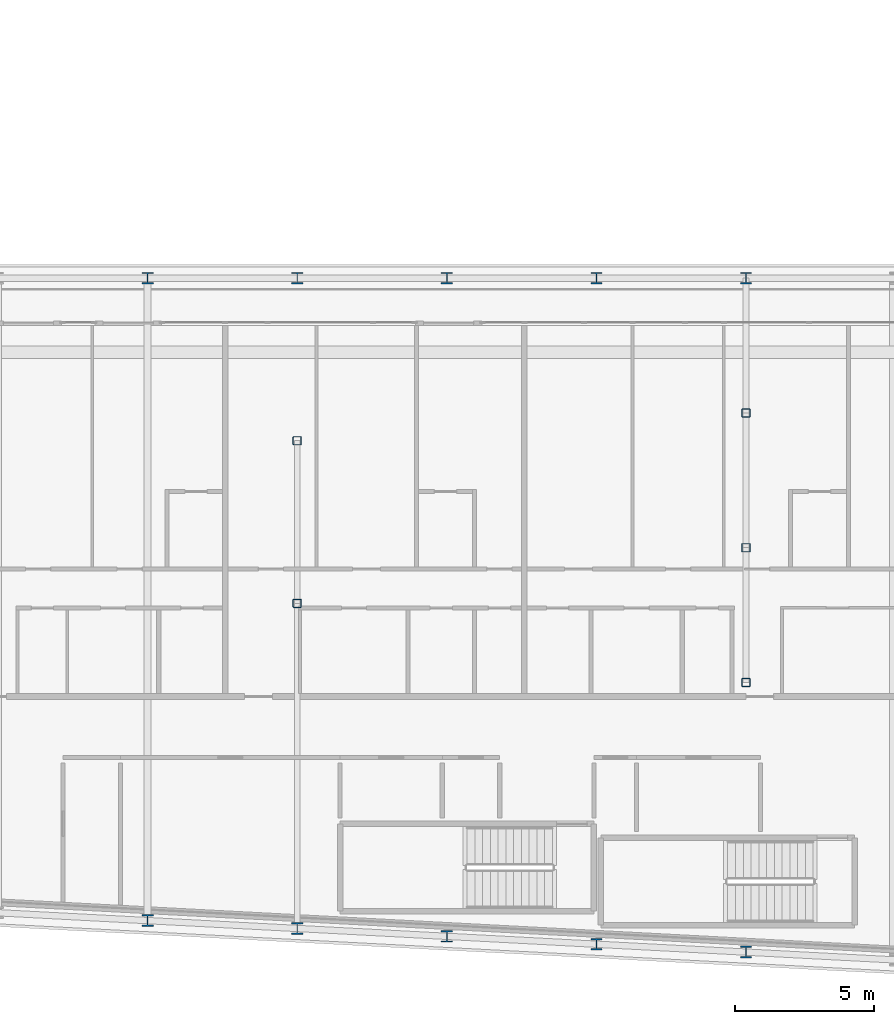
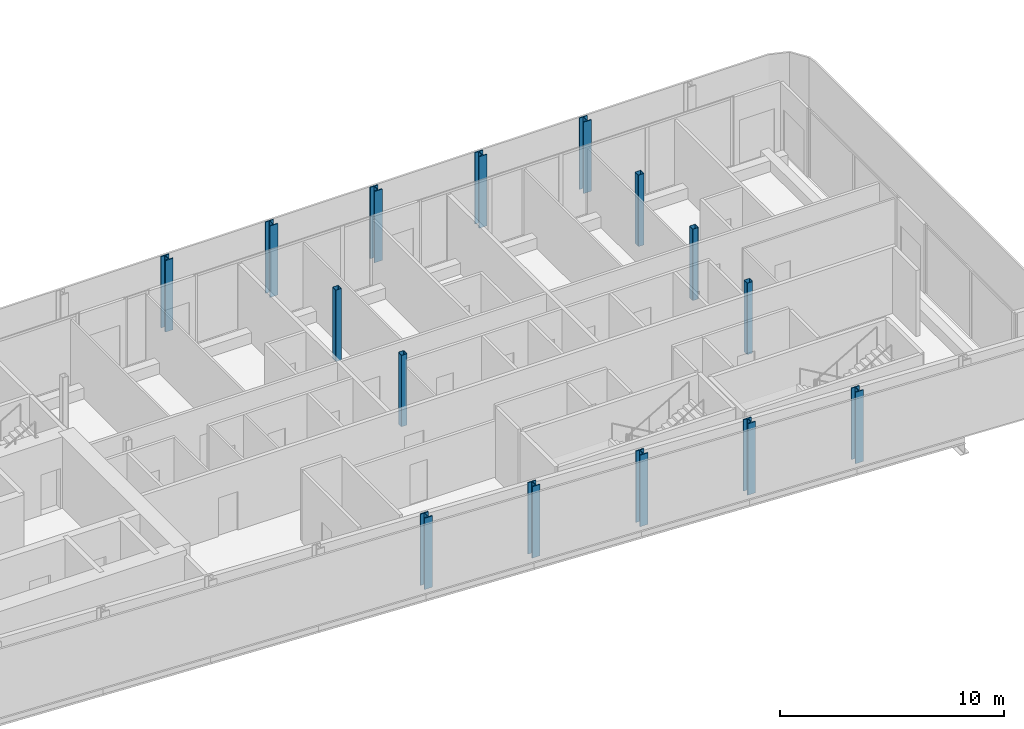
# One storey, part 2 of 30: 15 columns.
"""IFC4 building model written with IfcOpenShell, lengths in metres."""

from ifc_helpers import new_model, si_unit, direction, frame, origin, origin_2d, place, context, subcontext, project, spatial, hollow_rectangle, i_section, extrude, material, material_profile, profile_set, type_object, element, save


model = new_model("IFC4")

# Units and contexts
model_context = context("Model", 3, precision=1e-05, world=origin(), true_north=direction((0.0, 1.0)))
body_context = subcontext(model_context, "Body", "Model", "MODEL_VIEW")
ifc_project = project(units=[si_unit("LENGTHUNIT", "METRE"), si_unit("AREAUNIT", "SQUARE_METRE"), si_unit("VOLUMEUNIT", "CUBIC_METRE"), si_unit("PLANEANGLEUNIT", "RADIAN"), si_unit("MASSUNIT", "GRAM", prefix="KILO")], contexts=[model_context])

# Site, building, storey
site_placement = place(None, origin())
site = spatial("IfcSite", under=ifc_project, at=site_placement, CompositionType="ELEMENT")
building_placement = place(site_placement, origin())
building = spatial("IfcBuilding", under=site, at=building_placement, Name="Kheshtan School and Residences Tower", CompositionType="ELEMENT")
storey_placement = place(building_placement, frame((0.0, 0.0, 164.300048828125)))
storey = spatial("IfcBuildingStorey", under=building, at=storey_placement, Name="L38", CompositionType="ELEMENT", Elevation=164.300048828125)

# Columns
ifc_material_1 = material(Name="Steel ASTM A992 Grade 50", Category="steel")
ifc_material_profile_1 = material_profile(ifc_material_1, i_section(OverallWidth=0.408935546875, OverallDepth=0.425048828125, WebThickness=0.03271484375, FlangeThickness=0.052490234375, FilletRadius=0.0126953125, at=origin_2d()), Name="W360x421")
ifc_profile_set_1 = profile_set([ifc_material_profile_1], Name="Steel ASTM A992 Grade 50")
column_type_1 = type_object("IfcColumnType", Name="Column C3 W360x421 ASTM A992 Grade 50", PredefinedType="COLUMN", material=ifc_profile_set_1)
for number, where, z_axis, x_axis, name in (
    (1, (85.39990234375, 21.27392578125, 0.0), (0.0, 0.0, 1.0), (1.0, 0.0, 0.0), "Column C008"),
    (2, (80.0, 21.55810546875, 0.0), (0.0, 0.0, 1.0), (1.0, 0.0, 0.0), "Column C012"),
    (3, (74.60009765625, 21.843017578125, 0.0), (0.0, 0.0, 1.0), (1.0, 0.0, 0.0), "Column C013"),
    (4, (69.199951171875, 22.126953125, 0.0), (0.0, 0.0, 1.0), (1.0, 0.0, 0.0), "Column C014"),
    (5, (63.800048828125, 22.410888671875, 0.0), (0.0, 0.0, 1.0), (1.0, 0.0, 0.0), "Column C016"),
    (6, (63.800048828125, 45.60009765625, 0.0), (0.0, 0.0, 1.0), (1.0, 0.0, 0.0), "Column C063"),
    (7, (69.199951171875, 45.60009765625, 0.0), (0.0, 0.0, 1.0), (1.0, 0.0, 0.0), "Column C064"),
    (8, (74.60009765625, 45.60009765625, 0.0), (0.0, 0.0, 1.0), (1.0, 0.0, 0.0), "Column C065"),
    (9, (80.0, 45.60009765625, 0.0), (0.0, 0.0, 1.0), (1.0, 0.0, 0.0), "Column C066"),
    (10, (85.39990234375, 45.60009765625, 0.0), (0.0, 0.0, 1.0), (1.0, 0.0, 0.0), "Column C067"),
):
    element("IfcColumn", number, at=place(storey_placement, frame(where, z_axis=z_axis, x_axis=x_axis)), inside=storey, type_object=column_type_1, Name=name, PredefinedType="COLUMN", context=body_context, shape_type="SweptSolid", body=[
        extrude(i_section(OverallWidth=0.408935546875, OverallDepth=0.425048828125, WebThickness=0.03271484375, FlangeThickness=0.052490234375, FilletRadius=0.0126953125, at=origin_2d()), origin(), (0.0, 0.0, 1.0), 3.89990234375),
    ])
ifc_material_2 = material(Name="Steel ASTM A500 Grade C", Category="steel")
ifc_material_profile_2 = material_profile(ifc_material_2, hollow_rectangle(XDim=0.304931640625, YDim=0.304931640625, WallThickness=0.015869140625, InnerFilletRadius=0.015869140625, OuterFilletRadius=0.03173828125, at=origin_2d()), Name="HSS 305x305x15.9")
ifc_profile_set_2 = profile_set([ifc_material_profile_2], Name="Steel ASTM A500 Grade C")
column_type_2 = type_object("IfcColumnType", Name="Column IC2 HSS 305x305x15.9 ASTM A500 Grade C", PredefinedType="COLUMN", material=ifc_profile_set_2)
for number, where, z_axis, x_axis, name in (
    (11, (85.39990234375, 31.0048828125, 0.0), (0.0, 0.0, 1.0), (1.0, 0.0, 0.0), "Column C049"),
    (12, (69.199951171875, 33.863037109375, 0.0), (0.0, 0.0, 1.0), (1.0, 0.0, 0.0), "Column C050"),
    (13, (85.39990234375, 35.8701171875, 0.0), (0.0, 0.0, 1.0), (1.0, 0.0, 0.0), "Column C053"),
    (14, (69.199951171875, 39.73193359375, 0.0), (0.0, 0.0, 1.0), (1.0, 0.0, 0.0), "Column C054"),
    (15, (85.39990234375, 40.735107421875, 0.0), (0.0, 0.0, 1.0), (1.0, 0.0, 0.0), "Column C057"),
):
    element("IfcColumn", number, at=place(storey_placement, frame(where, z_axis=z_axis, x_axis=x_axis)), inside=storey, type_object=column_type_2, Name=name, PredefinedType="COLUMN", context=body_context, shape_type="SweptSolid", body=[
        extrude(hollow_rectangle(XDim=0.304931640625, YDim=0.304931640625, WallThickness=0.015869140625, InnerFilletRadius=0.015869140625, OuterFilletRadius=0.03173828125, at=origin_2d()), origin(), (0.0, 0.0, 1.0), 3.89990234375),
    ])

save(model, "model.ifc")
